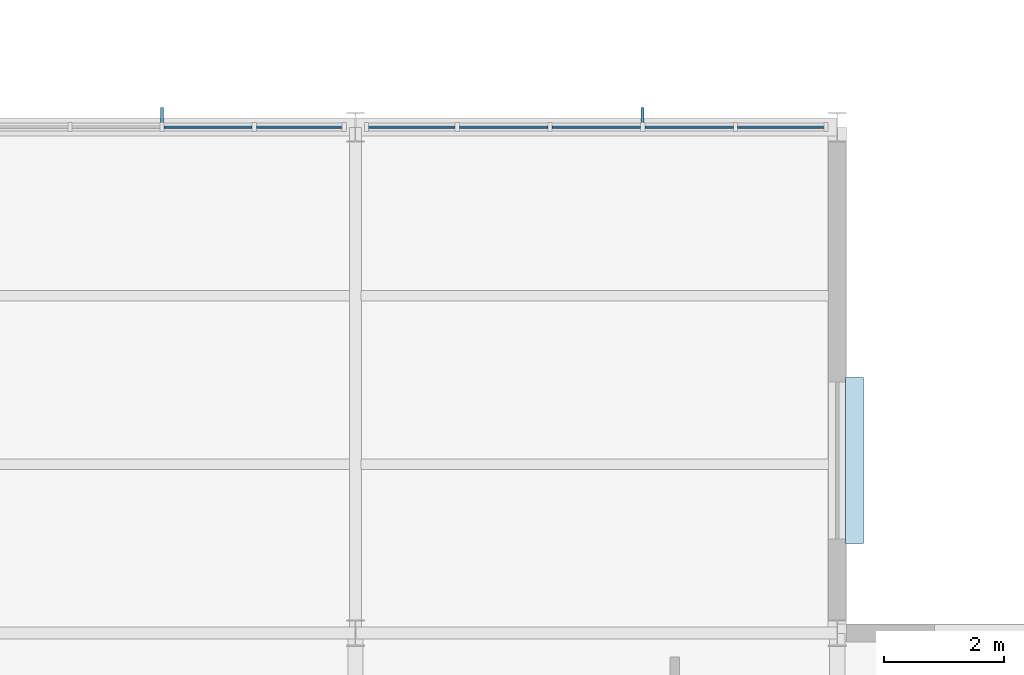
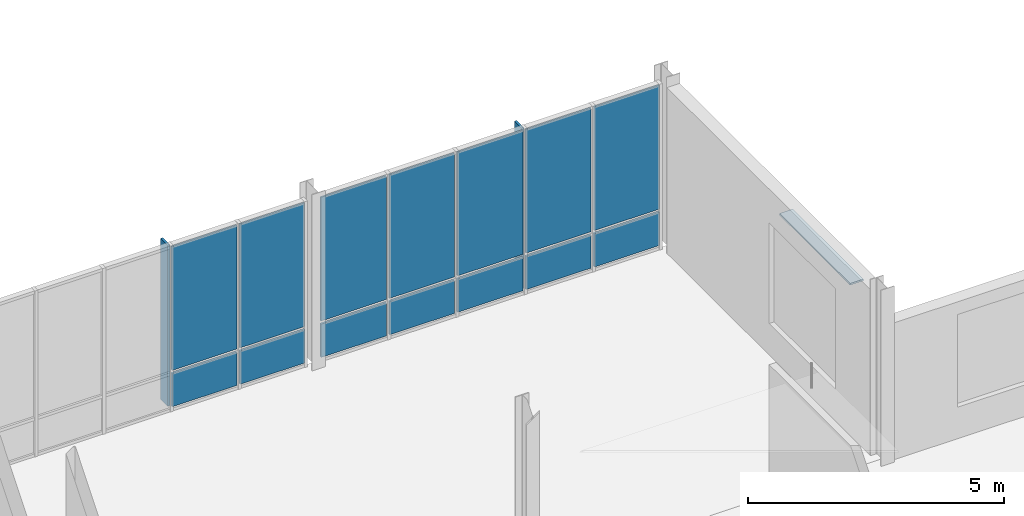
# One storey, part 52 of 75: 17 plates, 2 elements without a shape of their own.
"""IFC4 building model written with IfcOpenShell, lengths in metres."""

from ifc_helpers import new_model, si_unit, direction, frame, origin, origin_2d, place, context, subcontext, project, spatial, rectangle, extrude, material, layer, layer_set, type_object, element, aggregate, save


model = new_model("IFC4")

# Units and contexts
model_context = context("Model", 3, precision=1e-05, world=origin(), true_north=direction((0.0, 1.0)))
body_context = subcontext(model_context, "Body", "Model", "MODEL_VIEW")
ifc_project = project(units=[si_unit("LENGTHUNIT", "METRE"), si_unit("AREAUNIT", "SQUARE_METRE"), si_unit("VOLUMEUNIT", "CUBIC_METRE"), si_unit("PLANEANGLEUNIT", "RADIAN"), si_unit("MASSUNIT", "GRAM", prefix="KILO")], contexts=[model_context])

# Site, building, storey
site_placement = place(None, origin())
site = spatial("IfcSite", under=ifc_project, at=site_placement, CompositionType="ELEMENT")
building_placement = place(site_placement, origin())
building = spatial("IfcBuilding", under=site, at=building_placement, Name="Yukiwa Park Conservatory and Herbarium", CompositionType="ELEMENT")
storey_placement = place(building_placement, frame((0.0, 0.0, 4.800048828125)))
storey = spatial("IfcBuildingStorey", under=building, at=storey_placement, Name="L01", CompositionType="ELEMENT", Elevation=4.800048828125)

# Curtain wall, plates
ifc_material_1 = material(Name="Triple Low-E Insulated Glass", Category="glass")
ifc_layer_1 = layer(ifc_material_1, 0.236083984375)
ifc_layer_set_1 = layer_set([ifc_layer_1], Name="Triple Low-E Insulated Glass")
curtain_wall_type = type_object("IfcCurtainWallType", Name="CW-LINK-1500", PredefinedType="NOTDEFINED", material=ifc_layer_set_1)
curtain_wall_1_placement = place(storey_placement, origin())
curtain_wall_1 = element("IfcCurtainWall", 1, at=curtain_wall_1_placement, inside=storey, type_object=curtain_wall_type, Name="L01 unitised curtain wall CW-L01-046", PredefinedType="NOTDEFINED")
ifc_material_2 = material(Name="Triple Low-E Insulated Glass", Category="glass")
ifc_layer_2 = layer(ifc_material_2, 0.035888671875)
ifc_layer_set_2 = layer_set([ifc_layer_2], Name="Triple Low-E Insulated Glass")
plate_type_1 = type_object("IfcPlateType", Name="PL-CW-GLZ-36", PredefinedType="CURTAIN_PANEL", material=ifc_layer_set_2)
plate_1_placement = place(storey_placement, frame((75.080078125, 86.39990234375, 0.93505859375), z_axis=(0.0, 0.0, 1.0), x_axis=(-1.0, 0.0, 0.0)))
plate_1 = element("IfcPlate", 2, at=plate_1_placement, type_object=plate_type_1, Name="CW-L01-046 vision panel 1.2", PredefinedType="CURTAIN_PANEL", context=body_context, shape_type="SweptSolid", body=[
    extrude(rectangle(XDim=1.469970703125, YDim=0.035888671875, at=origin_2d()), origin(), (0.0, 0.0, 1.0), 2.949951171875),
])
plate_2_placement = place(storey_placement, frame((73.5400390625, 86.39990234375, 0.93505859375), z_axis=(0.0, 0.0, 1.0), x_axis=(-1.0, 0.0, 0.0)))
plate_2 = element("IfcPlate", 3, at=plate_2_placement, type_object=plate_type_1, Name="CW-L01-046 vision panel 2.2", PredefinedType="CURTAIN_PANEL", context=body_context, shape_type="SweptSolid", body=[
    extrude(rectangle(XDim=1.469970703125, YDim=0.035888671875, at=origin_2d()), origin(), (0.0, 0.0, 1.0), 2.949951171875),
])
plate_3_placement = place(storey_placement, frame((72.0, 86.39990234375, 0.93505859375), z_axis=(0.0, 0.0, 1.0), x_axis=(-1.0, 0.0, 0.0)))
plate_3 = element("IfcPlate", 4, at=plate_3_placement, type_object=plate_type_1, Name="CW-L01-046 vision panel 3.2", PredefinedType="CURTAIN_PANEL", context=body_context, shape_type="SweptSolid", body=[
    extrude(rectangle(XDim=1.469970703125, YDim=0.035888671875, at=origin_2d()), origin(), (0.0, 0.0, 1.0), 2.949951171875),
])
plate_4_placement = place(storey_placement, frame((70.4599609375, 86.39990234375, 0.93505859375), z_axis=(0.0, 0.0, 1.0), x_axis=(-1.0, 0.0, 0.0)))
plate_4 = element("IfcPlate", 5, at=plate_4_placement, type_object=plate_type_1, Name="CW-L01-046 vision panel 4.2", PredefinedType="CURTAIN_PANEL", context=body_context, shape_type="SweptSolid", body=[
    extrude(rectangle(XDim=1.469970703125, YDim=0.035888671875, at=origin_2d()), origin(), (0.0, 0.0, 1.0), 2.949951171875),
])
plate_5_placement = place(storey_placement, frame((68.919921875, 86.39990234375, 0.93505859375), z_axis=(0.0, 0.0, 1.0), x_axis=(-1.0, 0.0, 0.0)))
plate_5 = element("IfcPlate", 6, at=plate_5_placement, type_object=plate_type_1, Name="CW-L01-046 vision panel 5.2", PredefinedType="CURTAIN_PANEL", context=body_context, shape_type="SweptSolid", body=[
    extrude(rectangle(XDim=1.469970703125, YDim=0.035888671875, at=origin_2d()), origin(), (0.0, 0.0, 1.0), 2.949951171875),
])

curtain_wall_2_placement = place(storey_placement, origin())
curtain_wall_2 = element("IfcCurtainWall", 7, at=curtain_wall_2_placement, inside=storey, type_object=curtain_wall_type, Name="L01 unitised curtain wall CW-L01-047", PredefinedType="NOTDEFINED")
plate_6_placement = place(storey_placement, frame((67.0849609375, 86.39990234375, 0.93505859375), z_axis=(0.0, 0.0, 1.0), x_axis=(-1.0, 0.0, 0.0)))
plate_6 = element("IfcPlate", 8, at=plate_6_placement, type_object=plate_type_1, Name="CW-L01-047 vision panel 1.2", PredefinedType="CURTAIN_PANEL", context=body_context, shape_type="SweptSolid", body=[
    extrude(rectangle(XDim=1.4599609375, YDim=0.035888671875, at=origin_2d()), origin(), (0.0, 0.0, 1.0), 2.949951171875),
])
plate_7_placement = place(storey_placement, frame((65.554931640625, 86.39990234375, 0.93505859375), z_axis=(0.0, 0.0, 1.0), x_axis=(-1.0, 0.0, 0.0)))
plate_7 = element("IfcPlate", 9, at=plate_7_placement, type_object=plate_type_1, Name="CW-L01-047 vision panel 2.2", PredefinedType="CURTAIN_PANEL", context=body_context, shape_type="SweptSolid", body=[
    extrude(rectangle(XDim=1.4599609375, YDim=0.035888671875, at=origin_2d()), origin(), (0.0, 0.0, 1.0), 2.949951171875),
])

# Plate
ifc_material_3 = material(Name="Anodised Aluminium", Category="aluminium")
ifc_layer_3 = layer(ifc_material_3, 0.044921875)
ifc_layer_set_3 = layer_set([ifc_layer_3], Name="Anodised Aluminium")
plate_type_2 = type_object("IfcPlateType", Name="PL-CW-SPN-45", PredefinedType="CURTAIN_PANEL", material=ifc_layer_set_3)
plate_8_placement = place(storey_placement, frame((75.080078125, 86.39990234375, 0.070068359375), z_axis=(0.0, 0.0, 1.0), x_axis=(-1.0, 0.0, 0.0)))
plate_8 = element("IfcPlate", 10, at=plate_8_placement, type_object=plate_type_2, Name="CW-L01-046 spandrel panel 1.1", PredefinedType="CURTAIN_PANEL", context=body_context, shape_type="SweptSolid", body=[
    extrude(rectangle(XDim=1.469970703125, YDim=0.044921875, at=origin_2d()), origin(), (0.0, 0.0, 1.0), 0.794921875),
])

plate_9_placement = place(storey_placement, frame((73.5400390625, 86.39990234375, 0.070068359375), z_axis=(0.0, 0.0, 1.0), x_axis=(-1.0, 0.0, 0.0)))
plate_9 = element("IfcPlate", 11, at=plate_9_placement, type_object=plate_type_2, Name="CW-L01-046 spandrel panel 2.1", PredefinedType="CURTAIN_PANEL", context=body_context, shape_type="SweptSolid", body=[
    extrude(rectangle(XDim=1.469970703125, YDim=0.044921875, at=origin_2d()), origin(), (0.0, 0.0, 1.0), 0.794921875),
])

plate_10_placement = place(storey_placement, frame((72.0, 86.39990234375, 0.070068359375), z_axis=(0.0, 0.0, 1.0), x_axis=(-1.0, 0.0, 0.0)))
plate_10 = element("IfcPlate", 12, at=plate_10_placement, type_object=plate_type_2, Name="CW-L01-046 spandrel panel 3.1", PredefinedType="CURTAIN_PANEL", context=body_context, shape_type="SweptSolid", body=[
    extrude(rectangle(XDim=1.469970703125, YDim=0.044921875, at=origin_2d()), origin(), (0.0, 0.0, 1.0), 0.794921875),
])

plate_11_placement = place(storey_placement, frame((70.4599609375, 86.39990234375, 0.070068359375), z_axis=(0.0, 0.0, 1.0), x_axis=(-1.0, 0.0, 0.0)))
plate_11 = element("IfcPlate", 13, at=plate_11_placement, type_object=plate_type_2, Name="CW-L01-046 spandrel panel 4.1", PredefinedType="CURTAIN_PANEL", context=body_context, shape_type="SweptSolid", body=[
    extrude(rectangle(XDim=1.469970703125, YDim=0.044921875, at=origin_2d()), origin(), (0.0, 0.0, 1.0), 0.794921875),
])

plate_12_placement = place(storey_placement, frame((68.919921875, 86.39990234375, 0.070068359375), z_axis=(0.0, 0.0, 1.0), x_axis=(-1.0, 0.0, 0.0)))
plate_12 = element("IfcPlate", 14, at=plate_12_placement, type_object=plate_type_2, Name="CW-L01-046 spandrel panel 5.1", PredefinedType="CURTAIN_PANEL", context=body_context, shape_type="SweptSolid", body=[
    extrude(rectangle(XDim=1.469970703125, YDim=0.044921875, at=origin_2d()), origin(), (0.0, 0.0, 1.0), 0.794921875),
])

aggregate(curtain_wall_1, [plate_8, plate_1, plate_9, plate_2, plate_10, plate_3, plate_11, plate_4, plate_12, plate_5])

plate_13_placement = place(storey_placement, frame((67.0849609375, 86.39990234375, 0.070068359375), z_axis=(0.0, 0.0, 1.0), x_axis=(-1.0, 0.0, 0.0)))
plate_13 = element("IfcPlate", 15, at=plate_13_placement, type_object=plate_type_2, Name="CW-L01-047 spandrel panel 1.1", PredefinedType="CURTAIN_PANEL", context=body_context, shape_type="SweptSolid", body=[
    extrude(rectangle(XDim=1.4599609375, YDim=0.044921875, at=origin_2d()), origin(), (0.0, 0.0, 1.0), 0.794921875),
])

plate_14_placement = place(storey_placement, frame((65.554931640625, 86.39990234375, 0.070068359375), z_axis=(0.0, 0.0, 1.0), x_axis=(-1.0, 0.0, 0.0)))
plate_14 = element("IfcPlate", 16, at=plate_14_placement, type_object=plate_type_2, Name="CW-L01-047 spandrel panel 2.1", PredefinedType="CURTAIN_PANEL", context=body_context, shape_type="SweptSolid", body=[
    extrude(rectangle(XDim=1.4599609375, YDim=0.044921875, at=origin_2d()), origin(), (0.0, 0.0, 1.0), 0.794921875),
])

aggregate(curtain_wall_2, [plate_13, plate_6, plate_14, plate_7])

# Plates
ifc_material_4 = material(Name="Anodised Aluminium", Category="aluminium")
ifc_layer_4 = layer(ifc_material_4, 0.050048828125)
ifc_layer_set_4 = layer_set([ifc_layer_4], Name="Anodised Aluminium")
plate_type_3 = type_object("IfcPlateType", Name="PL-FIN-ALU-50", PredefinedType="USERDEFINED", material=ifc_layer_set_4)
for number, where, z_axis, x_axis, name in (
    (17, (72.77001953125, 86.590087890625, 0.06005859375), (0.0, 0.0, 1.0), (-1.0, 0.0, 0.0), "CW-L01-046 exterior vertical shading fin"),
    (18, (64.7900390625, 86.590087890625, 0.06005859375), (0.0, 0.0, 1.0), (-1.0, 0.0, 0.0), "CW-L01-047 exterior vertical shading fin"),
):
    element("IfcPlate", number, at=place(storey_placement, frame(where, z_axis=z_axis, x_axis=x_axis)), inside=storey, type_object=plate_type_3, Name=name, ObjectType="SHADING FIN", PredefinedType="USERDEFINED", context=body_context, shape_type="SweptSolid", body=[
        extrude(rectangle(XDim=0.050048828125, YDim=0.280029296875, at=origin_2d()), origin(), (0.0, 0.0, 1.0), 3.8349609375),
    ])
ifc_material_5 = material(Name="Anodised Aluminium", Category="aluminium")
ifc_layer_5 = layer(ifc_material_5, 0.0400390625)
ifc_layer_set_5 = layer_set([ifc_layer_5], Name="Anodised Aluminium")
plate_type_4 = type_object("IfcPlateType", Name="PL-SHADE-ALU-40", PredefinedType="SHEET", material=ifc_layer_set_5)
plate_15_placement = place(storey_placement, frame((76.284912109375, 80.864990234375, 3.18994140625), z_axis=(0.0, 0.0, 1.0), x_axis=(0.0, 1.0, 0.0)))
element("IfcPlate", 19, at=plate_15_placement, inside=storey, type_object=plate_type_4, Name="L01 snow-shedding window hood 61", PredefinedType="SHEET", context=body_context, shape_type="SweptSolid", body=[
    extrude(rectangle(XDim=2.760009765625, YDim=0.300048828125, at=origin_2d()), origin(), (0.0, 0.0, 1.0), 0.0400390625),
])

save(model, "model.ifc")
